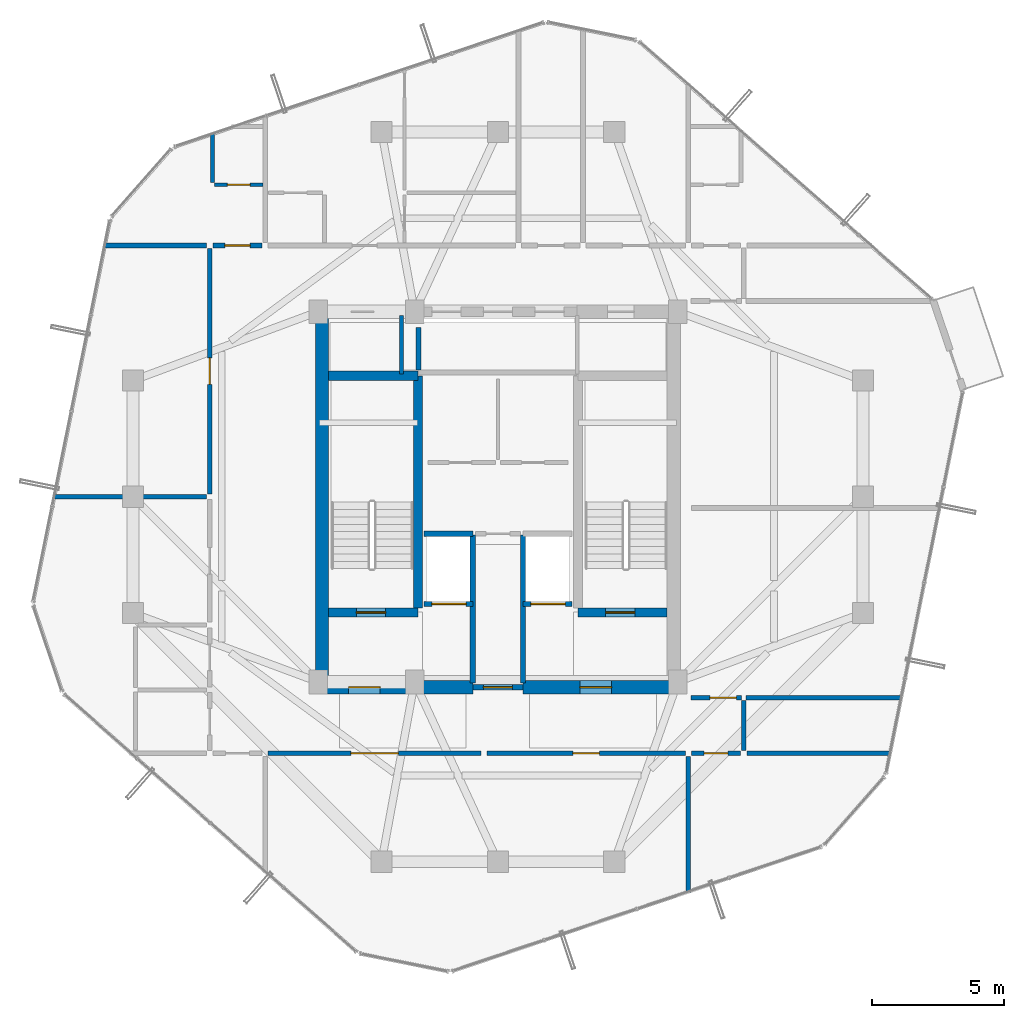
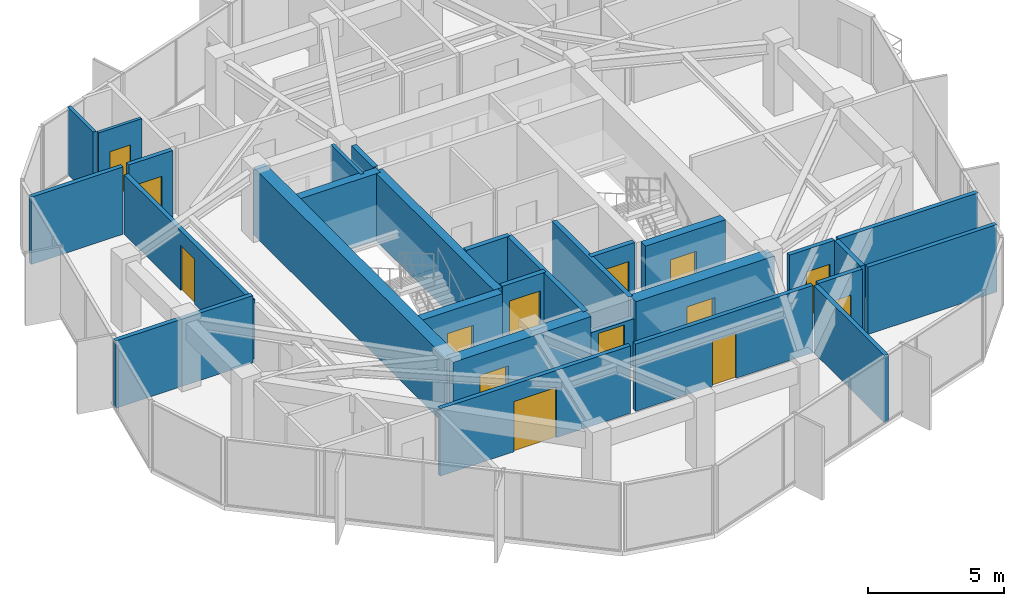
# One storey, part 24 of 28: 29 walls, 14 doors, 14 openings.
"""IFC4 building model written with IfcOpenShell, lengths in metres."""

import ifcopenshell
import ifcopenshell.guid

model = None  # the IFC model being written
_history = None  # IfcOwnerHistory: only IFC2X3 demands one
_inside = {}  # id of a spatial element -> (the spatial element, [elements in it])
_under = {}  # id of a project, library or spatial element -> (it, [spatial elements below it])
_declared = {}  # id of a project -> (the project, [libraries it declares])
_typed = {}  # id of a type object -> (the type object, [elements of that type])
_made_of = {}  # id of a material, layer set ... -> (it, [elements and type objects made of it])


def new_model(schema):
    """Start an empty IFC model of exactly this schema.

    Asked for "IFC4X3", IfcOpenShell would pick the latest addendum, in which some entities
    have other attributes; the version numbers below select the first issue.
    IFC2X3 requires an IfcOwnerHistory on every rooted entity: one is made here for all.
    """
    global model, _history
    if schema == "IFC4X3":
        model = ifcopenshell.file(schema_version=(4, 3, 0, 0))
    else:
        model = ifcopenshell.file(schema=schema)
    _inside.clear()
    _under.clear()
    _declared.clear()
    _typed.clear()
    _made_of.clear()
    _history = None
    if model.schema == "IFC2X3":
        org = make("IfcOrganization", Name="unknown")
        user = make(
            "IfcPersonAndOrganization",
            ThePerson=make("IfcPerson", FamilyName="unknown"),
            TheOrganization=org,
        )
        app = make(
            "IfcApplication",
            ApplicationDeveloper=org,
            Version="unknown",
            ApplicationFullName="unknown",
            ApplicationIdentifier="unknown",
        )
        _history = make(
            "IfcOwnerHistory",
            OwningUser=user,
            OwningApplication=app,
            ChangeAction="ADDED",
            CreationDate=0,
        )
    return model


def make(cls, **values):
    """One entity of the class cls with the attributes given. An attribute that is None is left unset."""
    return model.create_entity(
        cls, **{name: value for name, value in values.items() if value is not None}
    )


def rooted(cls, **values):
    """An entity with a GlobalId (a new one), such as an element, a storey or a relation."""
    return make(cls, GlobalId=ifcopenshell.guid.new(), OwnerHistory=_history, **values)


def si_unit(unit_type, name, prefix=None):
    """IfcSIUnit, for example si_unit("LENGTHUNIT", "METRE", prefix="MILLI")."""
    return make("IfcSIUnit", UnitType=unit_type, Prefix=prefix, Name=name)


def assignment(units):
    """IfcUnitAssignment: the units of a project."""
    return None if units is None else make("IfcUnitAssignment", Units=units)


def point(xyz):
    """IfcCartesianPoint."""
    return None if xyz is None else make("IfcCartesianPoint", Coordinates=xyz)


def direction(xyz):
    """IfcDirection."""
    return None if xyz is None else make("IfcDirection", DirectionRatios=xyz)


def frame(location, z_axis=None, x_axis=None):
    """IfcAxis2Placement3D, a coordinate frame: its origin and axes. An axis left out is left unset."""
    return make(
        "IfcAxis2Placement3D",
        Location=point(location),
        Axis=direction(z_axis),
        RefDirection=direction(x_axis),
    )


def frame_2d(location, x_axis=None):
    """IfcAxis2Placement2D, a coordinate frame in the plane: its origin and x axis."""
    return make(
        "IfcAxis2Placement2D", Location=point(location), RefDirection=direction(x_axis)
    )


def origin():
    """The frame at (0, 0, 0) with its axes left unset."""
    return frame((0.0, 0.0, 0.0))


def place(relative_to, where):
    """IfcLocalPlacement: puts the frame where relative to a parent placement (None: the world)."""
    return make(
        "IfcLocalPlacement", PlacementRelTo=relative_to, RelativePlacement=where
    )


def context(
    kind, dimensions, precision=None, world=None, true_north=None, identifier=None
):
    """IfcGeometricRepresentationContext, for example the 3D "Model" context."""
    return make(
        "IfcGeometricRepresentationContext",
        ContextIdentifier=identifier,
        ContextType=kind,
        CoordinateSpaceDimension=dimensions,
        Precision=precision,
        WorldCoordinateSystem=world,
        TrueNorth=true_north,
    )


def subcontext(parent, identifier, kind, view, scale=None):
    """IfcGeometricRepresentationSubContext, for example "Body" below "Model"."""
    return make(
        "IfcGeometricRepresentationSubContext",
        ContextIdentifier=identifier,
        ContextType=kind,
        ParentContext=parent,
        TargetScale=scale,
        TargetView=view,
    )


def project(units=None, contexts=None):
    """IfcProject with its units and contexts."""
    return rooted(
        "IfcProject",
        Name="project",
        RepresentationContexts=contexts,
        UnitsInContext=assignment(units),
    )


def spatial(cls, under=None, at=None, **own):
    """A site, building, storey or space (cls), placed at a placement, below another one or the project."""
    s = rooted(cls, ObjectPlacement=at, **own)
    if under is not None:
        _under.setdefault(under.id(), (under, []))[1].append(s)
    return s


def profile(cls, at=None, kind="AREA", **sizes):
    """A parametric profile (cls). Its sizes go by their IFC names, for example OverallWidth=200.0."""
    return make(cls, ProfileType=kind, Position=at, **sizes)


def rectangle(**sizes):
    """IfcRectangleProfileDef."""
    return profile("IfcRectangleProfileDef", **sizes)


def extrude(swept, where, along, depth):
    """IfcExtrudedAreaSolid: the profile swept, set in the frame where, extruded along a direction by depth."""
    return make(
        "IfcExtrudedAreaSolid",
        SweptArea=swept,
        Position=where,
        ExtrudedDirection=direction(along),
        Depth=depth,
    )


def shape(context_of_items, identifier, shape_type, items):
    """IfcShapeRepresentation: the items that make up one representation, for example the "Body"."""
    return make(
        "IfcShapeRepresentation",
        ContextOfItems=context_of_items,
        RepresentationIdentifier=identifier,
        RepresentationType=shape_type,
        Items=items,
    )


def source(mapping_origin, context_of_items, identifier, shape_type, items):
    """IfcRepresentationMap: a shape defined once, which mapped items show again and again."""
    return make(
        "IfcRepresentationMap",
        MappingOrigin=mapping_origin,
        MappedRepresentation=shape(context_of_items, identifier, shape_type, items),
    )


def transform(
    local_origin,
    x_axis=None,
    y_axis=None,
    z_axis=None,
    scale=None,
    scale2=None,
    scale3=None,
    uniform=True,
):
    """IfcCartesianTransformationOperator3D, or its non-uniform kind. x_axis, y_axis, z_axis: its Axis1, 2, 3."""
    if uniform:
        return make(
            "IfcCartesianTransformationOperator3D",
            Axis1=direction(x_axis),
            Axis2=direction(y_axis),
            LocalOrigin=point(local_origin),
            Scale=scale,
            Axis3=direction(z_axis),
        )
    return make(
        "IfcCartesianTransformationOperator3DnonUniform",
        Axis1=direction(x_axis),
        Axis2=direction(y_axis),
        LocalOrigin=point(local_origin),
        Scale=scale,
        Axis3=direction(z_axis),
        Scale2=scale2,
        Scale3=scale3,
    )


def mapped(mapping_source, mapping_target):
    """IfcMappedItem: shows the shape of a source again, moved by a transform."""
    return make(
        "IfcMappedItem", MappingSource=mapping_source, MappingTarget=mapping_target
    )


def material(Name=None, Category=None):
    """IfcMaterial."""
    return make("IfcMaterial", Name=Name, Category=Category)


def layer(
    of_material, thickness, ventilated=None, Name=None, Category=None, Priority=None
):
    """IfcMaterialLayer: one layer of a wall or slab, of a material (None: an air gap)."""
    return make(
        "IfcMaterialLayer",
        Material=of_material,
        LayerThickness=thickness,
        IsVentilated=ventilated,
        Name=Name,
        Category=Category,
        Priority=Priority,
    )


def layer_set(layers, Name=None):
    """IfcMaterialLayerSet."""
    return make("IfcMaterialLayerSet", MaterialLayers=layers, LayerSetName=Name)


def made_of(thing, what):
    """Note that an element or type object is made of a material, layer set ...; save() writes the relation."""
    if what is not None:
        _made_of.setdefault(what.id(), (what, []))[1].append(thing)
    return thing


def type_object(cls, material=None, **own):
    """A type object (cls), such as IfcWallType, which elements share."""
    return made_of(rooted(cls, **own), material)


def element(
    cls,
    number,
    at=None,
    inside=None,
    cuts=None,
    type_object=None,
    material=None,
    context=None,
    identifier="Body",
    shape_type=None,
    held_by="IfcProductDefinitionShape",
    body=None,
    shapes=None,
    **own,
):
    """One element of the class cls, such as IfcWall. Its Tag is "e" and its number.

    at: its placement. inside: the storey or other place that contains it. cuts: it is an
    opening in that element (IfcRelVoidsElement). A single representation is given by context,
    identifier, shape_type and body (its items); several are given by shapes. held_by: the class
    of the entity that holds the representations. save() writes the other relations.
    """
    e = rooted(cls, Tag="e%d" % number, ObjectPlacement=at, **own)
    if body is not None:
        shapes = [shape(context, identifier, shape_type, body)]
    if shapes is not None:
        e.Representation = make(held_by, Representations=shapes)
    if inside is not None:
        _inside.setdefault(inside.id(), (inside, []))[1].append(e)
    if cuts is not None:
        rooted(
            "IfcRelVoidsElement", RelatingBuildingElement=cuts, RelatedOpeningElement=e
        )
    if type_object is not None:
        _typed.setdefault(type_object.id(), (type_object, []))[1].append(e)
    return made_of(e, material)


def fill(opening, filler):
    """IfcRelFillsElement: the door or window that sits in an opening."""
    return rooted(
        "IfcRelFillsElement",
        RelatingOpeningElement=opening,
        RelatedBuildingElement=filler,
    )


def aggregate(whole, parts):
    """IfcRelAggregates: a whole, such as a stair, and the parts it consists of."""
    return rooted("IfcRelAggregates", RelatingObject=whole, RelatedObjects=parts)


def save(model, path):
    """Write the relations noted so far, then the file.

    IfcRelAggregates (storeys below a building ...), IfcRelContainedInSpatialStructure (elements
    in a storey), IfcRelDefinesByType, IfcRelAssociatesMaterial and IfcRelDeclares: one each for
    every whole, place, type object, material and project.
    """
    for whole, parts in _under.values():
        aggregate(whole, parts)
    for where, things in _inside.values():
        rooted(
            "IfcRelContainedInSpatialStructure",
            RelatedElements=things,
            RelatingStructure=where,
        )
    for kind, things in _typed.values():
        rooted("IfcRelDefinesByType", RelatedObjects=things, RelatingType=kind)
    for what, things in _made_of.values():
        rooted("IfcRelAssociatesMaterial", RelatedObjects=things, RelatingMaterial=what)
    for by, libraries in _declared.values():
        rooted("IfcRelDeclares", RelatingContext=by, RelatedDefinitions=libraries)
    model.write(path)


model = new_model("IFC4")

# Units and contexts
model_context = context("Model", 3, precision=1e-05, world=origin(), true_north=direction((0.0, 1.0)))
body_context = subcontext(model_context, "Body", "Model", "MODEL_VIEW")
ifc_project = project(units=[si_unit("LENGTHUNIT", "METRE"), si_unit("AREAUNIT", "SQUARE_METRE"), si_unit("VOLUMEUNIT", "CUBIC_METRE"), si_unit("PLANEANGLEUNIT", "RADIAN"), si_unit("MASSUNIT", "GRAM", prefix="KILO")], contexts=[model_context])

# Site, building, storey
site_placement = place(None, origin())
site = spatial("IfcSite", under=ifc_project, at=site_placement, CompositionType="ELEMENT")
building_placement = place(site_placement, origin())
building = spatial("IfcBuilding", under=site, at=building_placement, Name="Veraguas Prism Commons", CompositionType="ELEMENT")
storey_placement = place(building_placement, frame((0.0, 0.0, 248.0)))
storey = spatial("IfcBuildingStorey", under=building, at=storey_placement, Name="L70", CompositionType="ELEMENT", Elevation=248.0)

# Wall, opening, door
ifc_material_1 = material(Name="Concrete C50/60", Category="concrete")
ifc_layer_1 = layer(ifc_material_1, 0.35009765625, Name="Core Internal Shear Wall Upper RC 350", Category="concrete")
ifc_layer_set_1 = layer_set([ifc_layer_1], Name="Concrete C50/60")
wall_type_1 = type_object("IfcWallType", Name="Core Internal Shear Wall Upper RC 350", PredefinedType="SHEAR", material=ifc_layer_set_1)
wall_1_placement = place(storey_placement, frame((17.60009765625, 19.625, 0.0), z_axis=(0.0, 0.0, 1.0), x_axis=(1.0, 0.0, 0.0)))
wall_1 = element("IfcWall", 1, at=wall_1_placement, inside=storey, type_object=wall_type_1, Name="Stair ST-01 South Shear Wall L70", PredefinedType="SHEAR", context=body_context, shape_type="SweptSolid", body=[
    extrude(rectangle(XDim=3.375, YDim=0.35009765625, at=frame_2d((1.6875, 0.0))), origin(), (0.0, 0.0, 1.0), 3.014892578125),
])
opening_1_placement = place(wall_1_placement, frame((1.050048828125, 0.0, 0.0)))
opening_1 = element("IfcOpeningElement", 2, at=opening_1_placement, cuts=wall_1, Name="Opening DR-05", PredefinedType="OPENING", context=body_context, shape_type="SweptSolid", body=[
    extrude(rectangle(XDim=1.10009765625, YDim=2.030029296875, at=frame_2d((0.550048828125, 1.01513671875))), frame((0.0, 0.18505859375, 0.0), z_axis=(0.0, -1.0, 0.0), x_axis=(1.0, 0.0, 0.0)), (0.0, 0.0, 1.0), 0.3701171875),
])
ifc_material_2 = material(Name="Steel fire-rated door assembly", Category="steel")
door_type_1 = type_object("IfcDoorType", Name="Protected Stair and Refuge Fire Door 1100x2030", OperationType="NOTDEFINED", PredefinedType="DOOR", material=ifc_material_2)
shared_shape_1 = source(origin(), body_context, "Body", "SweptSolid", [
    extrude(rectangle(XDim=1.10009765625, YDim=2.030029296875, at=frame_2d((0.550048828125, 1.01513671875))), frame((0.0, 0.02490234375, 0.0), z_axis=(0.0, -1.0, 0.0), x_axis=(1.0, 0.0, 0.0)), (0.0, 0.0, 1.0), 0.050048828125),
])
door_1_placement = place(opening_1_placement, origin())
door_1 = element("IfcDoor", 3, at=door_1_placement, inside=storey, type_object=door_type_1, Name="Stair ST-01 Enclosure Door L70", OperationType="SINGLE_SWING_RIGHT", OverallHeight=2.030029296875, OverallWidth=1.10009765625, PredefinedType="DOOR", context=body_context, shape_type="MappedRepresentation", body=[
    mapped(shared_shape_1, transform((0.0, 0.0, 0.0), scale=1.0)),
])
fill(opening_1, door_1)

wall_2_placement = place(storey_placement, frame((27.02490234375, 19.625, 0.0), z_axis=(0.0, 0.0, 1.0), x_axis=(1.0, 0.0, 0.0)))
wall_2 = element("IfcWall", 4, at=wall_2_placement, inside=storey, type_object=wall_type_1, Name="Stair ST-02 South Shear Wall L70", PredefinedType="SHEAR", context=body_context, shape_type="SweptSolid", body=[
    extrude(rectangle(XDim=3.375, YDim=0.35009765625, at=frame_2d((1.6875, 0.0))), origin(), (0.0, 0.0, 1.0), 3.014892578125),
])
opening_2_placement = place(wall_2_placement, frame((1.050048828125, 0.0, 0.0)))
opening_2 = element("IfcOpeningElement", 5, at=opening_2_placement, cuts=wall_2, Name="Opening DR-05", PredefinedType="OPENING", context=body_context, shape_type="SweptSolid", body=[
    extrude(rectangle(XDim=1.10009765625, YDim=2.030029296875, at=frame_2d((0.550048828125, 1.01513671875))), frame((0.0, 0.18505859375, 0.0), z_axis=(0.0, -1.0, 0.0), x_axis=(1.0, 0.0, 0.0)), (0.0, 0.0, 1.0), 0.3701171875),
])
door_2_placement = place(opening_2_placement, origin())
door_2 = element("IfcDoor", 6, at=door_2_placement, inside=storey, type_object=door_type_1, Name="Stair ST-02 Enclosure Door L70", OperationType="SINGLE_SWING_LEFT", OverallHeight=2.030029296875, OverallWidth=1.10009765625, PredefinedType="DOOR", context=body_context, shape_type="MappedRepresentation", body=[
    mapped(shared_shape_1, transform((0.0, 0.0, 0.0), scale=1.0)),
])
fill(opening_2, door_2)

# Walls
wall_3_placement = place(storey_placement, frame((20.97509765625, 19.800048828125, 0.0), z_axis=(0.0, 0.0, 1.0), x_axis=(0.0, 1.0, 0.0)))
element("IfcWall", 7, at=wall_3_placement, inside=storey, type_object=wall_type_1, Name="Stair ST-01 Inner Shear Wall L70", PredefinedType="SHEAR", context=body_context, shape_type="SweptSolid", body=[
    extrude(rectangle(XDim=8.77490234375, YDim=0.35009765625, at=frame_2d((4.387451171875, 0.0))), origin(), (0.0, 0.0, 1.0), 3.014892578125),
])
wall_4_placement = place(storey_placement, frame((17.60009765625, 28.574951171875, 0.0), z_axis=(0.0, 0.0, 1.0), x_axis=(1.0, 0.0, 0.0)))
element("IfcWall", 8, at=wall_4_placement, inside=storey, type_object=wall_type_1, Name="Stair ST-01 North Shear Wall L70", PredefinedType="SHEAR", context=body_context, shape_type="SweptSolid", body=[
    extrude(rectangle(XDim=3.375, YDim=0.35009765625, at=frame_2d((1.6875, 0.0))), origin(), (0.0, 0.0, 1.0), 3.014892578125),
])
ifc_layer_2 = layer(ifc_material_1, 0.5, Name="Core Outer Shear Wall Upper RC 500", Category="concrete")
ifc_layer_set_2 = layer_set([ifc_layer_2], Name="Concrete C50/60")
wall_type_2 = type_object("IfcWallType", Name="Core Outer Shear Wall Upper RC 500", PredefinedType="SHEAR", material=ifc_layer_set_2)
wall_5_placement = place(storey_placement, frame((17.35009765625, 16.800048828125, 0.0), z_axis=(0.0, 0.0, 1.0), x_axis=(0.0, 1.0, 0.0)))
element("IfcWall", 9, at=wall_5_placement, inside=storey, type_object=wall_type_2, Name="Central Core West Shear Wall L70", PredefinedType="SHEAR", context=body_context, shape_type="SweptSolid", body=[
    extrude(rectangle(XDim=14.199951171875, YDim=0.5, at=frame_2d((7.10009765625, 0.0))), origin(), (0.0, 0.0, 1.0), 3.014892578125),
])

# Wall, opening, door
wall_6_placement = place(storey_placement, frame((17.199951171875, 16.800048828125, 0.0), z_axis=(0.0, 0.0, 1.0), x_axis=(1.0, 0.0, 0.0)))
wall_6 = element("IfcWall", 10, at=wall_6_placement, inside=storey, type_object=wall_type_2, Name="Central Core South-West Shear Wall L70", PredefinedType="SHEAR", context=body_context, shape_type="SweptSolid", body=[
    extrude(rectangle(XDim=5.85009765625, YDim=0.5, at=frame_2d((2.925048828125, 0.0))), origin(), (0.0, 0.0, 1.0), 3.014892578125),
])
opening_3_placement = place(wall_6_placement, frame((1.14990234375, 0.0, 0.0)))
opening_3 = element("IfcOpeningElement", 11, at=opening_3_placement, cuts=wall_6, Name="Opening DR-06", PredefinedType="OPENING", context=body_context, shape_type="SweptSolid", body=[
    extrude(rectangle(XDim=1.199951171875, YDim=2.030029296875, at=frame_2d((0.60009765625, 1.01513671875))), frame((0.0, 0.260009765625, 0.0), z_axis=(0.0, -1.0, 0.0), x_axis=(1.0, 0.0, 0.0)), (0.0, 0.0, 1.0), 0.52001953125),
])
door_type_2 = type_object("IfcDoorType", Name="Firefighting Lobby Smoke Door 1200x2030", OperationType="NOTDEFINED", PredefinedType="DOOR", material=ifc_material_2)
shared_shape_2 = source(origin(), body_context, "Body", "SweptSolid", [
    extrude(rectangle(XDim=1.199951171875, YDim=2.030029296875, at=frame_2d((0.60009765625, 1.01513671875))), frame((0.0, 0.02490234375, 0.0), z_axis=(0.0, -1.0, 0.0), x_axis=(1.0, 0.0, 0.0)), (0.0, 0.0, 1.0), 0.050048828125),
])
door_3_placement = place(opening_3_placement, origin())
door_3 = element("IfcDoor", 12, at=door_3_placement, inside=storey, type_object=door_type_2, Name="West FF Lobby Door L70", OperationType="SINGLE_SWING_LEFT", OverallHeight=2.030029296875, OverallWidth=1.199951171875, PredefinedType="DOOR", context=body_context, shape_type="MappedRepresentation", body=[
    mapped(shared_shape_2, transform((0.0, 0.0, 0.0), scale=1.0)),
])
fill(opening_3, door_3)

wall_7_placement = place(storey_placement, frame((24.949951171875, 16.800048828125, 0.0), z_axis=(0.0, 0.0, 1.0), x_axis=(1.0, 0.0, 0.0)))
wall_7 = element("IfcWall", 13, at=wall_7_placement, inside=storey, type_object=wall_type_2, Name="Central Core South-East Shear Wall L70", PredefinedType="SHEAR", context=body_context, shape_type="SweptSolid", body=[
    extrude(rectangle(XDim=5.85009765625, YDim=0.5, at=frame_2d((2.925048828125, 0.0))), origin(), (0.0, 0.0, 1.0), 3.014892578125),
])
opening_4_placement = place(wall_7_placement, frame((2.14990234375, 0.0, 0.0)))
opening_4 = element("IfcOpeningElement", 14, at=opening_4_placement, cuts=wall_7, Name="Opening DR-06", PredefinedType="OPENING", context=body_context, shape_type="SweptSolid", body=[
    extrude(rectangle(XDim=1.199951171875, YDim=2.030029296875, at=frame_2d((0.60009765625, 1.01513671875))), frame((0.0, 0.260009765625, 0.0), z_axis=(0.0, -1.0, 0.0), x_axis=(1.0, 0.0, 0.0)), (0.0, 0.0, 1.0), 0.52001953125),
])
door_4_placement = place(opening_4_placement, origin())
door_4 = element("IfcDoor", 15, at=door_4_placement, inside=storey, type_object=door_type_2, Name="East FF Lobby Door L70", OperationType="SINGLE_SWING_LEFT", OverallHeight=2.030029296875, OverallWidth=1.199951171875, PredefinedType="DOOR", context=body_context, shape_type="MappedRepresentation", body=[
    mapped(shared_shape_2, transform((0.0, 0.0, 0.0), scale=1.0)),
])
fill(opening_4, door_4)

# Wall
ifc_material_3 = material(Name="Autoclaved aerated masonry block 10 MPa", Category="masonry")
ifc_layer_3 = layer(ifc_material_3, 0.179931640625, Name="Corridor and Inter-Tenancy Partition 180", Category="masonry")
ifc_layer_set_3 = layer_set([ifc_layer_3], Name="Autoclaved aerated masonry block 10 MPa")
wall_type_3 = type_object("IfcWallType", Name="Corridor and Inter-Tenancy Partition 180", PredefinedType="PARTITIONING", material=ifc_layer_set_3)
wall_8_placement = place(storey_placement, frame((31.199951171875, 14.179931640625, 0.0), z_axis=(0.0, 0.0, 1.0), x_axis=(0.0, -1.0, 0.0)))
element("IfcWall", 16, at=wall_8_placement, inside=storey, type_object=wall_type_3, Name="WL-L70-PT002", PredefinedType="PARTITIONING", context=body_context, shape_type="SweptSolid", body=[
    extrude(rectangle(XDim=5.14892578125, YDim=0.179931640625, at=frame_2d((2.574462890625, 0.0))), origin(), (0.0, 0.0, 1.0), 3.014892578125),
])

# Wall, opening, door
wall_9_placement = place(storey_placement, frame((15.31005859375, 14.300048828125, 0.0), z_axis=(0.0, 0.0, 1.0), x_axis=(1.0, 0.0, 0.0)))
wall_9 = element("IfcWall", 17, at=wall_9_placement, inside=storey, type_object=wall_type_3, Name="WL-L70-PT003", PredefinedType="PARTITIONING", context=body_context, shape_type="SweptSolid", body=[
    extrude(rectangle(XDim=8.050048828125, YDim=0.179931640625, at=frame_2d((4.02490234375, 0.0))), origin(), (0.0, 0.0, 1.0), 3.014892578125),
])
opening_5_placement = place(wall_9_placement, frame((3.125, 0.0, 0.0)))
opening_5 = element("IfcOpeningElement", 18, at=opening_5_placement, cuts=wall_9, Name="Opening DR-07", PredefinedType="OPENING", context=body_context, shape_type="SweptSolid", body=[
    extrude(rectangle(XDim=1.800048828125, YDim=2.25, at=frame_2d((0.89990234375, 1.125))), frame((0.0, 0.099853515625, 0.0), z_axis=(0.0, -1.0, 0.0), x_axis=(1.0, 0.0, 0.0)), (0.0, 0.0, 1.0), 0.199951171875),
])
door_type_3 = type_object("IfcDoorType", Name="Corridor Double Fire Door 1800x2250", OperationType="NOTDEFINED", PredefinedType="DOOR", material=ifc_material_2)
shared_shape_3 = source(origin(), body_context, "Body", "SweptSolid", [
    extrude(rectangle(XDim=1.800048828125, YDim=2.25, at=frame_2d((0.89990234375, 1.125))), frame((0.0, 0.02490234375, 0.0), z_axis=(0.0, -1.0, 0.0), x_axis=(1.0, 0.0, 0.0)), (0.0, 0.0, 1.0), 0.050048828125),
])
door_5_placement = place(opening_5_placement, origin())
door_5 = element("IfcDoor", 19, at=door_5_placement, inside=storey, type_object=door_type_3, Name="Residents Co-op Library and Reading Hall Door 1", OperationType="SINGLE_SWING_LEFT", OverallHeight=2.25, OverallWidth=1.800048828125, PredefinedType="DOOR", context=body_context, shape_type="MappedRepresentation", body=[
    mapped(shared_shape_3, transform((0.0, 0.0, 0.0), scale=1.0)),
])
fill(opening_5, door_5)

wall_10_placement = place(storey_placement, frame((23.580078125, 14.300048828125, 0.0), z_axis=(0.0, 0.0, 1.0), x_axis=(1.0, 0.0, 0.0)))
wall_10 = element("IfcWall", 20, at=wall_10_placement, inside=storey, type_object=wall_type_3, Name="WL-L70-PT004", PredefinedType="PARTITIONING", context=body_context, shape_type="SweptSolid", body=[
    extrude(rectangle(XDim=7.510009765625, YDim=0.179931640625, at=frame_2d((3.7548828125, 0.0))), origin(), (0.0, 0.0, 1.0), 3.014892578125),
])
opening_6_placement = place(wall_10_placement, frame((3.2548828125, 0.0, 0.0)))
opening_6 = element("IfcOpeningElement", 21, at=opening_6_placement, cuts=wall_10, Name="Opening DR-13", PredefinedType="OPENING", context=body_context, shape_type="SweptSolid", body=[
    extrude(rectangle(XDim=1.0, YDim=2.010009765625, at=frame_2d((0.5, 1.0048828125))), frame((0.0, 0.099853515625, 0.0), z_axis=(0.0, -1.0, 0.0), x_axis=(1.0, 0.0, 0.0)), (0.0, 0.0, 1.0), 0.199951171875),
])
door_type_4 = type_object("IfcDoorType", Name="Core Accessible WC and Clinic Fire Door 1000x2010", OperationType="NOTDEFINED", PredefinedType="DOOR", material=ifc_material_2)
shared_shape_4 = source(origin(), body_context, "Body", "SweptSolid", [
    extrude(rectangle(XDim=1.0, YDim=2.010009765625, at=frame_2d((0.5, 1.0048828125))), frame((0.0, 0.02490234375, 0.0), z_axis=(0.0, -1.0, 0.0), x_axis=(1.0, 0.0, 0.0)), (0.0, 0.0, 1.0), 0.050048828125),
])
door_6_placement = place(opening_6_placement, origin())
door_6 = element("IfcDoor", 22, at=door_6_placement, inside=storey, type_object=door_type_4, Name="Residents Co-op Library and Reading Hall Door 2", OperationType="SINGLE_SWING_RIGHT", OverallHeight=2.010009765625, OverallWidth=1.0, PredefinedType="DOOR", context=body_context, shape_type="MappedRepresentation", body=[
    mapped(shared_shape_4, transform((0.0, 0.0, 0.0), scale=1.0)),
])
fill(opening_6, door_6)

# Wall
wall_11_placement = place(storey_placement, frame((12.97998046875, 33.5, 0.0), z_axis=(0.0, 0.0, 1.0), x_axis=(-1.0, 0.0, 0.0)))
element("IfcWall", 23, at=wall_11_placement, inside=storey, type_object=wall_type_3, Name="WL-L70-PT018", PredefinedType="PARTITIONING", context=body_context, shape_type="SweptSolid", body=[
    extrude(rectangle(XDim=3.8828125, YDim=0.179931640625, at=frame_2d((1.94140625, 0.0))), origin(), (0.0, 0.0, 1.0), 3.014892578125),
])

# Wall, opening, door
wall_12_placement = place(storey_placement, frame((13.10009765625, 24.110107421875, 0.0), z_axis=(0.0, 0.0, 1.0), x_axis=(0.0, 1.0, 0.0)))
wall_12 = element("IfcWall", 24, at=wall_12_placement, inside=storey, type_object=wall_type_3, Name="WL-L70-PT022", PredefinedType="PARTITIONING", context=body_context, shape_type="SweptSolid", body=[
    extrude(rectangle(XDim=9.27978515625, YDim=0.179931640625, at=frame_2d((4.639892578125, 0.0))), origin(), (0.0, 0.0, 1.0), 2.662109375),
])
opening_7_placement = place(wall_12_placement, frame((4.139892578125, 0.0, 0.0)))
opening_7 = element("IfcOpeningElement", 25, at=opening_7_placement, cuts=wall_12, Name="Opening DR-13", PredefinedType="OPENING", context=body_context, shape_type="SweptSolid", body=[
    extrude(rectangle(XDim=1.0, YDim=2.010009765625, at=frame_2d((0.5, 1.0048828125))), frame((0.0, 0.099853515625, 0.0), z_axis=(0.0, -1.0, 0.0), x_axis=(1.0, 0.0, 0.0)), (0.0, 0.0, 1.0), 0.199951171875),
])
door_7_placement = place(opening_7_placement, origin())
door_7 = element("IfcDoor", 26, at=door_7_placement, inside=storey, type_object=door_type_4, Name="Reading Lounge L70 Door", OperationType="SINGLE_SWING_RIGHT", OverallHeight=2.010009765625, OverallWidth=1.0, PredefinedType="DOOR", context=body_context, shape_type="MappedRepresentation", body=[
    mapped(shared_shape_4, transform((0.0, 0.0, 0.0), scale=1.0)),
])
fill(opening_7, door_7)

# Walls
wall_13_placement = place(storey_placement, frame((12.97998046875, 24.0, 0.0), z_axis=(0.0, 0.0, 1.0), x_axis=(-1.0, 0.0, 0.0)))
element("IfcWall", 27, at=wall_13_placement, inside=storey, type_object=wall_type_3, Name="WL-L70-PT027", PredefinedType="PARTITIONING", context=body_context, shape_type="SweptSolid", body=[
    extrude(rectangle(XDim=5.794921875, YDim=0.179931640625, at=frame_2d((2.8974609375, 0.0))), origin(), (0.0, 0.0, 1.0), 3.014892578125),
])
wall_14_placement = place(storey_placement, frame((33.300048828125, 14.39990234375, 0.0), z_axis=(0.0, 0.0, 1.0), x_axis=(0.0, 1.0, 0.0)))
element("IfcWall", 28, at=wall_14_placement, inside=storey, type_object=wall_type_3, Name="WL-L70-PT029", PredefinedType="PARTITIONING", context=body_context, shape_type="SweptSolid", body=[
    extrude(rectangle(XDim=1.900146484375, YDim=0.179931640625, at=frame_2d((0.9501953125, 0.0))), origin(), (0.0, 0.0, 1.0), 3.014892578125),
])

# Wall, opening, door
wall_15_placement = place(storey_placement, frame((31.300048828125, 16.39990234375, 0.0), z_axis=(0.0, 0.0, 1.0), x_axis=(1.0, 0.0, 0.0)))
wall_15 = element("IfcWall", 29, at=wall_15_placement, inside=storey, type_object=wall_type_3, Name="WL-L70-PT031", PredefinedType="PARTITIONING", context=body_context, shape_type="SweptSolid", body=[
    extrude(rectangle(XDim=1.919921875, YDim=0.179931640625, at=frame_2d((0.9599609375, 0.0))), origin(), (0.0, 0.0, 1.0), 3.014892578125),
])
opening_8_placement = place(wall_15_placement, frame((0.719970703125, 0.0, 0.0)))
opening_8 = element("IfcOpeningElement", 30, at=opening_8_placement, cuts=wall_15, Name="Opening DR-13", PredefinedType="OPENING", context=body_context, shape_type="SweptSolid", body=[
    extrude(rectangle(XDim=1.0, YDim=2.010009765625, at=frame_2d((0.5, 1.0048828125))), frame((0.0, 0.099853515625, 0.0), z_axis=(0.0, -1.0, 0.0), x_axis=(1.0, 0.0, 0.0)), (0.0, 0.0, 1.0), 0.199951171875),
])
door_8_placement = place(opening_8_placement, origin())
door_8 = element("IfcDoor", 31, at=door_8_placement, inside=storey, type_object=door_type_4, Name="Panorama Lounge Door L70", OperationType="SINGLE_SWING_LEFT", OverallHeight=2.010009765625, OverallWidth=1.0, PredefinedType="DOOR", context=body_context, shape_type="MappedRepresentation", body=[
    mapped(shared_shape_4, transform((0.0, 0.0, 0.0), scale=1.0)),
])
fill(opening_8, door_8)

# Walls
wall_16_placement = place(storey_placement, frame((33.3798828125, 16.39990234375, 0.0), z_axis=(0.0, 0.0, 1.0), x_axis=(1.0, 0.0, 0.0)))
element("IfcWall", 32, at=wall_16_placement, inside=storey, type_object=wall_type_3, Name="WL-L70-PT032", PredefinedType="PARTITIONING", context=body_context, shape_type="SweptSolid", body=[
    extrude(rectangle(XDim=5.905517578125, YDim=0.179931640625, at=frame_2d((2.95263671875, 0.0))), origin(), (0.0, 0.0, 1.0), 3.014892578125),
])
wall_17_placement = place(storey_placement, frame((33.419921875, 14.300048828125, 0.0), z_axis=(0.0, 0.0, 1.0), x_axis=(1.0, 0.0, 0.0)))
element("IfcWall", 33, at=wall_17_placement, inside=storey, type_object=wall_type_3, Name="WL-L70-PT036", PredefinedType="PARTITIONING", context=body_context, shape_type="SweptSolid", body=[
    extrude(rectangle(XDim=5.44287109375, YDim=0.179931640625, at=frame_2d((2.721435546875, 0.0))), origin(), (0.0, 0.0, 1.0), 3.014892578125),
])

# Wall, opening, door
wall_18_placement = place(storey_placement, frame((31.320068359375, 14.300048828125, 0.0), z_axis=(0.0, 0.0, 1.0), x_axis=(1.0, 0.0, 0.0)))
wall_18 = element("IfcWall", 34, at=wall_18_placement, inside=storey, type_object=wall_type_3, Name="WL-L70-PT037", PredefinedType="PARTITIONING", context=body_context, shape_type="SweptSolid", body=[
    extrude(rectangle(XDim=1.85986328125, YDim=0.179931640625, at=frame_2d((0.929931640625, 0.0))), origin(), (0.0, 0.0, 1.0), 3.014892578125),
])
opening_9_placement = place(wall_18_placement, frame((0.47998046875, 0.0, 0.0)))
opening_9 = element("IfcOpeningElement", 35, at=opening_9_placement, cuts=wall_18, Name="Opening DR-14", PredefinedType="OPENING", context=body_context, shape_type="SweptSolid", body=[
    extrude(rectangle(XDim=0.89990234375, YDim=2.010009765625, at=frame_2d((0.449951171875, 1.0048828125))), frame((0.0, 0.099853515625, 0.0), z_axis=(0.0, -1.0, 0.0), x_axis=(1.0, 0.0, 0.0)), (0.0, 0.0, 1.0), 0.199951171875),
])
door_type_5 = type_object("IfcDoorType", Name="Core Service Room Fire Door 900x2010", OperationType="NOTDEFINED", PredefinedType="DOOR", material=ifc_material_2)
shared_shape_5 = source(origin(), body_context, "Body", "SweptSolid", [
    extrude(rectangle(XDim=0.89990234375, YDim=2.010009765625, at=frame_2d((0.449951171875, 1.0048828125))), frame((0.0, 0.02490234375, 0.0), z_axis=(0.0, -1.0, 0.0), x_axis=(1.0, 0.0, 0.0)), (0.0, 0.0, 1.0), 0.050048828125),
])
door_9_placement = place(opening_9_placement, origin())
door_9 = element("IfcDoor", 36, at=door_9_placement, inside=storey, type_object=door_type_5, Name="Community Co-op Kitchen SE Door", OperationType="SINGLE_SWING_RIGHT", OverallHeight=2.010009765625, OverallWidth=0.89990234375, PredefinedType="DOOR", context=body_context, shape_type="MappedRepresentation", body=[
    mapped(shared_shape_5, transform((0.0, 0.0, 0.0), scale=1.0)),
])
fill(opening_9, door_9)

wall_19_placement = place(storey_placement, frame((13.219970703125, 33.5, 0.0), z_axis=(0.0, 0.0, 1.0), x_axis=(1.0, 0.0, 0.0)))
wall_19 = element("IfcWall", 37, at=wall_19_placement, inside=storey, type_object=wall_type_3, Name="WL-L70-PT038", PredefinedType="PARTITIONING", context=body_context, shape_type="SweptSolid", body=[
    extrude(rectangle(XDim=1.860107421875, YDim=0.179931640625, at=frame_2d((0.93017578125, 0.0))), origin(), (0.0, 0.0, 1.0), 3.014892578125),
])
opening_10_placement = place(wall_19_placement, frame((0.455078125, 0.0, 0.0)))
opening_10 = element("IfcOpeningElement", 38, at=opening_10_placement, cuts=wall_19, Name="Opening DR-01", PredefinedType="OPENING", context=body_context, shape_type="SweptSolid", body=[
    extrude(rectangle(XDim=0.949951171875, YDim=2.02001953125, at=frame_2d((0.47509765625, 1.010009765625))), frame((0.0, 0.099853515625, 0.0), z_axis=(0.0, -1.0, 0.0), x_axis=(1.0, 0.0, 0.0)), (0.0, 0.0, 1.0), 0.199951171875),
])
ifc_material_4 = material(Name="Anodised aluminium EN AW-6063 T6", Category="aluminium")
door_type_6 = type_object("IfcDoorType", Name="Apartment Entrance Fire Door 950x2020", OperationType="NOTDEFINED", PredefinedType="DOOR", material=ifc_material_4)
shared_shape_6 = source(origin(), body_context, "Body", "SweptSolid", [
    extrude(rectangle(XDim=0.949951171875, YDim=2.02001953125, at=frame_2d((0.47509765625, 1.010009765625))), frame((0.0, 0.02490234375, 0.0), z_axis=(0.0, -1.0, 0.0), x_axis=(1.0, 0.0, 0.0)), (0.0, 0.0, 1.0), 0.050048828125),
])
door_10_placement = place(opening_10_placement, origin())
door_10 = element("IfcDoor", 39, at=door_10_placement, inside=storey, type_object=door_type_6, Name="Studio 70B Entrance Door", OperationType="SINGLE_SWING_LEFT", OverallHeight=2.02001953125, OverallWidth=0.949951171875, PredefinedType="DOOR", context=body_context, shape_type="MappedRepresentation", body=[
    mapped(shared_shape_6, transform((0.0, 0.0, 0.0), scale=1.0)),
])
fill(opening_10, door_10)

ifc_material_5 = material(Name="Lightweight acoustic gypsum board")
ifc_layer_4 = layer(ifc_material_5, 0.125, Name="Internal Apartment Room Partition 125")
ifc_layer_set_4 = layer_set([ifc_layer_4], Name="Lightweight acoustic gypsum board")
wall_type_4 = type_object("IfcWallType", Name="Internal Apartment Room Partition 125", PredefinedType="PARTITIONING", material=ifc_layer_set_4)
wall_20_placement = place(storey_placement, frame((13.280029296875, 35.800048828125, 0.0), z_axis=(0.0, 0.0, 1.0), x_axis=(1.0, 0.0, 0.0)))
wall_20 = element("IfcWall", 40, at=wall_20_placement, inside=storey, type_object=wall_type_4, Name="WL-L70-PT039", PredefinedType="PARTITIONING", context=body_context, shape_type="SweptSolid", body=[
    extrude(rectangle(XDim=1.840087890625, YDim=0.125, at=frame_2d((0.919921875, 0.0))), origin(), (0.0, 0.0, 1.0), 3.014892578125),
])
opening_11_placement = place(wall_20_placement, frame((0.489990234375, 0.0, 0.0)))
opening_11 = element("IfcOpeningElement", 41, at=opening_11_placement, cuts=wall_20, Name="Opening DR-03", PredefinedType="OPENING", context=body_context, shape_type="SweptSolid", body=[
    extrude(rectangle(XDim=0.860107421875, YDim=2.010009765625, at=frame_2d((0.43017578125, 1.0048828125))), frame((0.0, 0.072509765625, 0.0), z_axis=(0.0, -1.0, 0.0), x_axis=(1.0, 0.0, 0.0)), (0.0, 0.0, 1.0), 0.14501953125),
])
ifc_material_6 = material(Name="Timber moisture-resistant leaf", Category="wood")
door_type_7 = type_object("IfcDoorType", Name="Internal Bathroom Door 860x2010", OperationType="NOTDEFINED", PredefinedType="DOOR", material=ifc_material_6)
shared_shape_7 = source(origin(), body_context, "Body", "SweptSolid", [
    extrude(rectangle(XDim=0.860107421875, YDim=2.010009765625, at=frame_2d((0.43017578125, 1.0048828125))), frame((0.0, 0.02490234375, 0.0), z_axis=(0.0, -1.0, 0.0), x_axis=(1.0, 0.0, 0.0)), (0.0, 0.0, 1.0), 0.050048828125),
])
door_11_placement = place(opening_11_placement, origin())
door_11 = element("IfcDoor", 42, at=door_11_placement, inside=storey, type_object=door_type_7, Name="Studio 70B Bathroom Door", OperationType="SINGLE_SWING_RIGHT", OverallHeight=2.010009765625, OverallWidth=0.860107421875, PredefinedType="DOOR", context=body_context, shape_type="MappedRepresentation", body=[
    mapped(shared_shape_7, transform((0.0, 0.0, 0.0), scale=1.0)),
])
fill(opening_11, door_11)

ifc_layer_5 = layer(ifc_material_3, 0.199951171875, Name="Rated Shaft and Lobby Block Wall 200", Category="masonry")
ifc_layer_set_5 = layer_set([ifc_layer_5], Name="Autoclaved aerated masonry block 10 MPa")
wall_type_5 = type_object("IfcWallType", Name="Rated Shaft and Lobby Block Wall 200", PredefinedType="SOLIDWALL", material=ifc_layer_set_5)
wall_21_placement = place(storey_placement, frame((23.050048828125, 16.800048828125, 0.0), z_axis=(0.0, 0.0, 1.0), x_axis=(1.0, 0.0, 0.0)))
wall_21 = element("IfcWall", 43, at=wall_21_placement, inside=storey, type_object=wall_type_5, Name="Central Core Lobby Entrance Wall L70", PredefinedType="SOLIDWALL", context=body_context, shape_type="SweptSolid", body=[
    extrude(rectangle(XDim=1.89990234375, YDim=0.199951171875, at=frame_2d((0.949951171875, 0.0))), origin(), (0.0, 0.0, 1.0), 2.1650390625),
])
opening_12_placement = place(wall_21_placement, frame((0.39990234375, 0.0, 0.0)))
opening_12 = element("IfcOpeningElement", 44, at=opening_12_placement, cuts=wall_21, Name="Opening DR-05", PredefinedType="OPENING", context=body_context, shape_type="SweptSolid", body=[
    extrude(rectangle(XDim=1.10009765625, YDim=2.030029296875, at=frame_2d((0.550048828125, 1.01513671875))), frame((0.0, 0.10986328125, 0.0), z_axis=(0.0, -1.0, 0.0), x_axis=(1.0, 0.0, 0.0)), (0.0, 0.0, 1.0), 0.219970703125),
])
door_12_placement = place(opening_12_placement, origin())
door_12 = element("IfcDoor", 45, at=door_12_placement, inside=storey, type_object=door_type_1, Name="Central Lobby Door L70", OperationType="SINGLE_SWING_RIGHT", OverallHeight=2.030029296875, OverallWidth=1.10009765625, PredefinedType="DOOR", context=body_context, shape_type="MappedRepresentation", body=[
    mapped(shared_shape_1, transform((0.0, 0.0, 0.0), scale=1.0)),
])
fill(opening_12, door_12)

wall_22_placement = place(storey_placement, frame((21.199951171875, 19.949951171875, 0.0), z_axis=(0.0, 0.0, 1.0), x_axis=(1.0, 0.0, 0.0)))
wall_22 = element("IfcWall", 46, at=wall_22_placement, inside=storey, type_object=wall_type_5, Name="Firefighting Lift FFL-1 Front Wall L70", PredefinedType="SOLIDWALL", context=body_context, shape_type="SweptSolid", body=[
    extrude(rectangle(XDim=1.85009765625, YDim=0.199951171875, at=frame_2d((0.925048828125, 0.0))), origin(), (0.0, 0.0, 1.0), 3.014892578125),
])
opening_13_placement = place(wall_22_placement, frame((0.300048828125, 0.0, 0.0)))
opening_13 = element("IfcOpeningElement", 47, at=opening_13_placement, cuts=wall_22, Name="Opening LD-02", PredefinedType="OPENING", context=body_context, shape_type="SweptSolid", body=[
    extrude(rectangle(XDim=1.300048828125, YDim=2.25, at=frame_2d((0.64990234375, 1.125))), frame((0.0, 0.10986328125, 0.0), z_axis=(0.0, -1.0, 0.0), x_axis=(1.0, 0.0, 0.0)), (0.0, 0.0, 1.0), 0.219970703125),
])
ifc_material_7 = material(Name="Stainless steel AISI 316", Category="steel")
door_type_8 = type_object("IfcDoorType", Name="Firefighting Lift Sliding Landing Door 1300x2250", OperationType="NOTDEFINED", PredefinedType="DOOR", material=ifc_material_7)
shared_shape_8 = source(origin(), body_context, "Body", "SweptSolid", [
    extrude(rectangle(XDim=1.300048828125, YDim=2.25, at=frame_2d((0.64990234375, 1.125))), frame((0.0, 0.02490234375, 0.0), z_axis=(0.0, -1.0, 0.0), x_axis=(1.0, 0.0, 0.0)), (0.0, 0.0, 1.0), 0.050048828125),
])
door_13_placement = place(opening_13_placement, origin())
door_13 = element("IfcDoor", 48, at=door_13_placement, inside=storey, type_object=door_type_8, Name="Firefighting Lift FFL-1 Landing Door L70", OperationType="SLIDING_TO_LEFT", OverallHeight=2.25, OverallWidth=1.300048828125, PredefinedType="DOOR", context=body_context, shape_type="MappedRepresentation", body=[
    mapped(shared_shape_8, transform((0.0, 0.0, 0.0), scale=1.0)),
])
fill(opening_13, door_13)

wall_23_placement = place(storey_placement, frame((24.949951171875, 19.949951171875, 0.0), z_axis=(0.0, 0.0, 1.0), x_axis=(1.0, 0.0, 0.0)))
wall_23 = element("IfcWall", 49, at=wall_23_placement, inside=storey, type_object=wall_type_5, Name="Firefighting Lift FFL-2 Front Wall L70", PredefinedType="SOLIDWALL", context=body_context, shape_type="SweptSolid", body=[
    extrude(rectangle(XDim=1.85009765625, YDim=0.199951171875, at=frame_2d((0.925048828125, 0.0))), origin(), (0.0, 0.0, 1.0), 3.014892578125),
])
opening_14_placement = place(wall_23_placement, frame((0.300048828125, 0.0, 0.0)))
opening_14 = element("IfcOpeningElement", 50, at=opening_14_placement, cuts=wall_23, Name="Opening LD-02", PredefinedType="OPENING", context=body_context, shape_type="SweptSolid", body=[
    extrude(rectangle(XDim=1.300048828125, YDim=2.25, at=frame_2d((0.64990234375, 1.125))), frame((0.0, 0.10986328125, 0.0), z_axis=(0.0, -1.0, 0.0), x_axis=(1.0, 0.0, 0.0)), (0.0, 0.0, 1.0), 0.219970703125),
])
door_14_placement = place(opening_14_placement, origin())
door_14 = element("IfcDoor", 51, at=door_14_placement, inside=storey, type_object=door_type_8, Name="Firefighting Lift FFL-2 Front Wall L70", OperationType="SLIDING_TO_LEFT", OverallHeight=2.25, OverallWidth=1.300048828125, PredefinedType="DOOR", context=body_context, shape_type="MappedRepresentation", body=[
    mapped(shared_shape_8, transform((0.0, 0.0, 0.0), scale=1.0)),
])
fill(opening_14, door_14)

# Walls
for number, where, z_axis, x_axis, name in (
    (52, (23.050048828125, 16.949951171875, 0.0), (0.0, 0.0, 1.0), (0.0, 1.0, 0.0), "West FF Lobby Divider Wall L70"),
    (53, (24.949951171875, 16.949951171875, 0.0), (0.0, 0.0, 1.0), (0.0, 1.0, 0.0), "East FF Lobby Divider Wall L70"),
):
    element("IfcWall", number, at=place(storey_placement, frame(where, z_axis=z_axis, x_axis=x_axis)), inside=storey, type_object=wall_type_5, Name=name, PredefinedType="SOLIDWALL", context=body_context, shape_type="SweptSolid", body=[
        extrude(rectangle(XDim=5.60009765625, YDim=0.199951171875, at=frame_2d((2.800048828125, 0.0))), origin(), (0.0, 0.0, 1.0), 3.014892578125),
    ])
wall_24_placement = place(storey_placement, frame((21.199951171875, 22.60009765625, 0.0), z_axis=(0.0, 0.0, 1.0), x_axis=(1.0, 0.0, 0.0)))
element("IfcWall", 54, at=wall_24_placement, inside=storey, type_object=wall_type_5, Name="Firefighting Lift FFL-1 Rear Wall L70", PredefinedType="SOLIDWALL", context=body_context, shape_type="SweptSolid", body=[
    extrude(rectangle(XDim=1.85009765625, YDim=0.199951171875, at=frame_2d((0.925048828125, 0.0))), origin(), (0.0, 0.0, 1.0), 3.014892578125),
])
wall_25_placement = place(storey_placement, frame((21.0, 28.800048828125, 0.0), z_axis=(0.0, 0.0, 1.0), x_axis=(0.0, 1.0, 0.0)))
element("IfcWall", 55, at=wall_25_placement, inside=storey, type_object=wall_type_5, Name="High-Rise Lift Bank West Shaft Wall L70", PredefinedType="SOLIDWALL", context=body_context, shape_type="SweptSolid", body=[
    extrude(rectangle(XDim=1.599853515625, YDim=0.199951171875, at=frame_2d((0.7998046875, 0.0))), origin(), (0.0, 0.0, 1.0), 3.014892578125),
])
ifc_layer_6 = layer(ifc_material_5, 0.14990234375, Name="Wet Room and Clinic Acoustic Partition 150")
ifc_layer_set_6 = layer_set([ifc_layer_6], Name="Lightweight acoustic gypsum board")
wall_type_6 = type_object("IfcWallType", Name="Wet Room and Clinic Acoustic Partition 150", PredefinedType="PARTITIONING", material=ifc_layer_set_6)
wall_26_placement = place(storey_placement, frame((20.35009765625, 28.64990234375, 0.0), z_axis=(0.0, 0.0, 1.0), x_axis=(0.0, 1.0, 0.0)))
element("IfcWall", 56, at=wall_26_placement, inside=storey, type_object=wall_type_6, Name="Core NW Service Inner Wall L70", PredefinedType="PARTITIONING", context=body_context, shape_type="SweptSolid", body=[
    extrude(rectangle(XDim=2.2001953125, YDim=0.14990234375, at=frame_2d((1.10009765625, 0.0))), origin(), (0.0, 0.0, 1.0), 3.014892578125),
])
wall_27_placement = place(storey_placement, frame((13.199951171875, 35.8798828125, 0.0), z_axis=(0.0, 0.0, 1.0), x_axis=(0.0, 1.0, 0.0)))
element("IfcWall", 57, at=wall_27_placement, inside=storey, type_object=wall_type_6, Name="WL-L70-PT041", PredefinedType="PARTITIONING", context=body_context, shape_type="SweptSolid", body=[
    extrude(rectangle(XDim=1.876220703125, YDim=0.14990234375, at=frame_2d((0.93798828125, 0.0))), origin(), (0.0, 0.0, 1.0), 3.014892578125),
])

save(model, "model.ifc")
